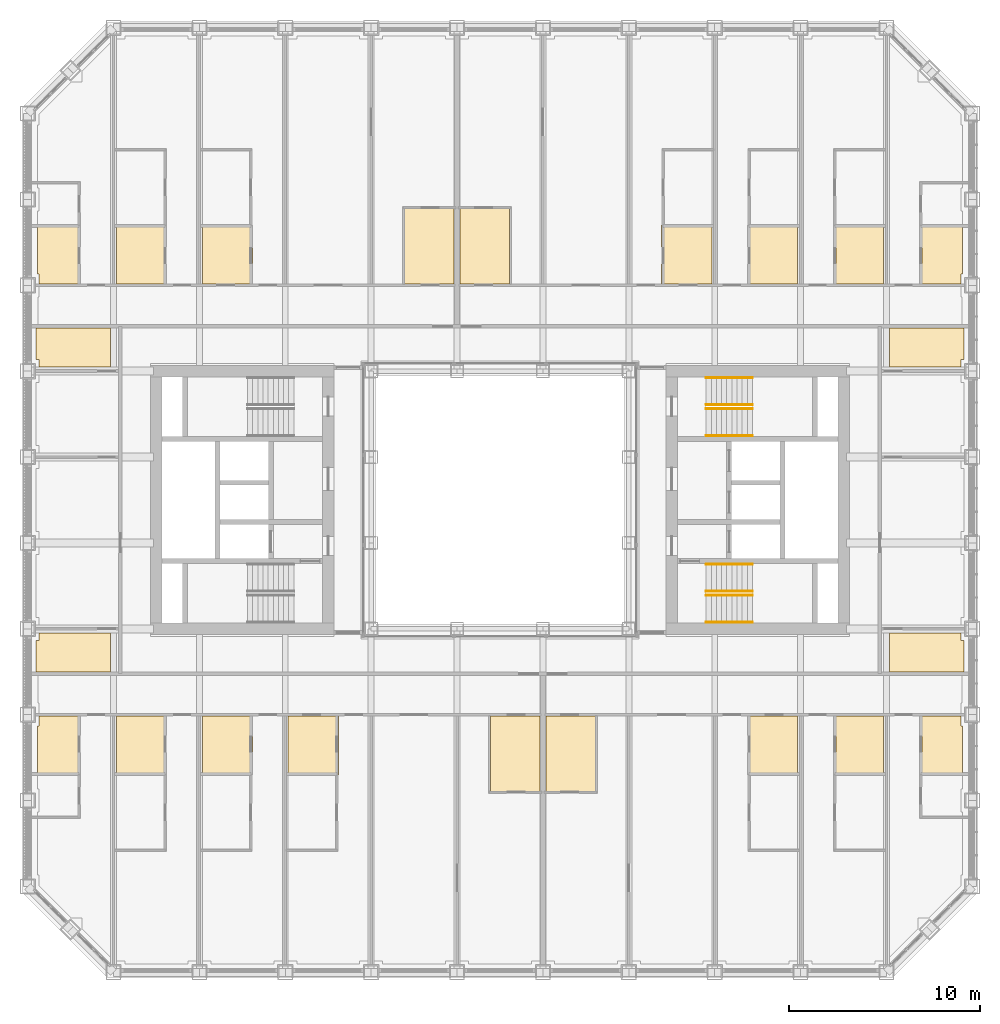
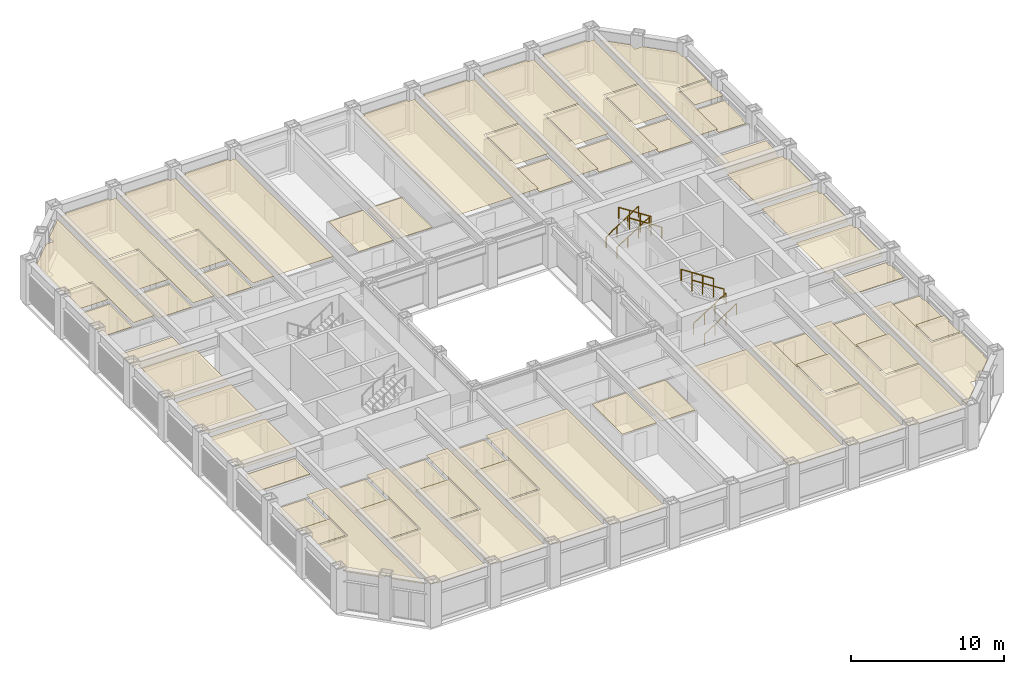
# One storey, part 20 of 21: 8 railings, 3 coverings.
"""IFC4 building model written with IfcOpenShell, lengths in metres."""

from ifc_helpers import new_model, si_unit, direction, frame, origin, origin_2d, place, context, subcontext, project, spatial, line, indexed_curve, circle, outline, extrude, material, layer, layer_set, type_object, element, save


model = new_model("IFC4")

# Units and contexts
model_context = context("Model", 3, precision=1e-05, world=origin(), true_north=direction((0.0, 1.0)))
body_context = subcontext(model_context, "Body", "Model", "MODEL_VIEW")
ifc_project = project(units=[si_unit("LENGTHUNIT", "METRE"), si_unit("AREAUNIT", "SQUARE_METRE"), si_unit("VOLUMEUNIT", "CUBIC_METRE"), si_unit("PLANEANGLEUNIT", "RADIAN"), si_unit("MASSUNIT", "GRAM", prefix="KILO")], contexts=[model_context])

# Site, building, storey
site_placement = place(None, origin())
site = spatial("IfcSite", under=ifc_project, at=site_placement, CompositionType="ELEMENT")
building_placement = place(site_placement, origin())
building = spatial("IfcBuilding", under=site, at=building_placement, Name="Msasa Ring Tower", CompositionType="ELEMENT")
storey_placement = place(building_placement, frame((0.0, 0.0, 79.0)))
storey = spatial("IfcBuildingStorey", under=building, at=storey_placement, Name="L20", CompositionType="ELEMENT", Elevation=79.0)

# Coverings
ifc_material_1 = material(Name="Gypsum plasterboard on a steel suspension grid", Category="steel")
ifc_layer_1 = layer(ifc_material_1, 0.014892578125)
ifc_layer_set_1 = layer_set([ifc_layer_1], Name="C1 SUSPENDED PLASTERBOARD CEILING 15")
covering_type_1 = type_object("IfcCoveringType", Name="C1 SUSPENDED PLASTERBOARD CEILING 15", PredefinedType="CEILING", material=ifc_layer_set_1)
covering_1_placement = place(storey_placement, frame((0.0, 0.0, 2.699951171875)))
element("IfcCovering", 1, at=covering_1_placement, inside=storey, type_object=covering_type_1, Name="Suspended Plasterboard Ceiling 15 L20", PredefinedType="CEILING", context=body_context, shape_type="SweptSolid", body=[
    extrude(outline(indexed_curve([(-24.299560546875, -2.8505859375), (-24.1494140625, -2.8505859375), (-24.1494140625, -2.460693359375), (-20.00048828125, -2.460693359375), (-20.00048828125, -6.539306640625), (-24.1494140625, -6.539306640625), (-24.1494140625, -6.1494140625), (-24.299560546875, -6.1494140625)], segments=[line(1, 2, 3, 4, 5, 6, 7, 8, 1)], self_intersect=False)), origin(), (0.0, 0.0, 1.0), 0.01513671875),
    extrude(outline(indexed_curve([(-24.299560546875, 1.6494140625), (-24.1494140625, 1.6494140625), (-24.1494140625, 2.039306640625), (-20.00048828125, 2.039306640625), (-20.00048828125, -2.039306640625), (-24.1494140625, -2.039306640625), (-24.1494140625, -1.6494140625), (-24.299560546875, -1.6494140625)], segments=[line(1, 2, 3, 4, 5, 6, 7, 8, 1)], self_intersect=False)), origin(), (0.0, 0.0, 1.0), 0.01513671875),
    extrude(outline(indexed_curve([(-24.299560546875, 6.1494140625), (-24.1494140625, 6.1494140625), (-24.1494140625, 6.539306640625), (-20.00048828125, 6.539306640625), (-20.00048828125, 2.460693359375), (-24.1494140625, 2.460693359375), (-24.1494140625, 2.8505859375), (-24.299560546875, 2.8505859375)], segments=[line(1, 2, 3, 4, 5, 6, 7, 8, 1)], self_intersect=False)), origin(), (0.0, 0.0, 1.0), 0.01513671875),
    extrude(outline(indexed_curve([(-22.1005859375, -16.568115234375), (-24.239501953125, -16.568115234375), (-24.239501953125, -16.3505859375), (-24.1494140625, -16.3505859375), (-24.1494140625, -15.1494140625), (-24.239501953125, -15.1494140625), (-24.239501953125, -14.430419921875), (-22.1005859375, -14.430419921875)], segments=[line(1, 2, 3, 4, 5, 6, 7, 8, 1)], self_intersect=False)), origin(), (0.0, 0.0, 1.0), 0.01513671875),
    extrude(outline(indexed_curve([(-22.1005859375, 16.568115234375), (-22.1005859375, 14.430419921875), (-24.239501953125, 14.430419921875), (-24.239501953125, 15.1494140625), (-24.1494140625, 15.1494140625), (-24.1494140625, 16.3505859375), (-24.239501953125, 16.3505859375), (-24.239501953125, 16.568115234375)], segments=[line(1, 2, 3, 4, 5, 6, 7, 8, 1)], self_intersect=False)), origin(), (0.0, 0.0, 1.0), 0.01513671875),
    extrude(outline(indexed_curve([(-21.8994140625, -22.46337890625), (-21.8994140625, -21.8994140625), (-22.46337890625, -21.8994140625), (-24.1494140625, -20.21337890625), (-24.1494140625, -19.6494140625), (-24.23193359375, -19.6494140625), (-24.23193359375, -16.674072265625), (-21.99951171875, -16.674072265625), (-21.99951171875, -11.31298828125), (-20.404296875, -11.31298828125), (-20.404296875, -23.95849609375)], segments=[line(1, 2, 3, 4, 5, 6, 7, 8, 9, 10, 11, 1)], self_intersect=False)), origin(), (0.0, 0.0, 1.0), 0.01513671875),
    extrude(outline(indexed_curve([(-22.46337890625, 21.8994140625), (-21.8994140625, 21.8994140625), (-21.8994140625, 22.46337890625), (-20.404296875, 23.95849609375), (-20.404296875, 11.31298828125), (-21.99951171875, 11.31298828125), (-21.99951171875, 16.674072265625), (-24.23193359375, 16.674072265625), (-24.23193359375, 19.6494140625), (-24.1494140625, 19.6494140625), (-24.1494140625, 20.21337890625)], segments=[line(1, 2, 3, 4, 5, 6, 7, 8, 9, 10, 11, 1)], self_intersect=False)), origin(), (0.0, 0.0, 1.0), 0.01513671875),
    extrude(outline(indexed_curve([(-15.904296875, -11.31298828125), (-15.904296875, -24.1494140625), (-16.3505859375, -24.1494140625), (-16.3505859375, -24.299560546875), (-19.6494140625, -24.299560546875), (-19.6494140625, -24.1494140625), (-20.095703125, -24.1494140625), (-20.095703125, -18.40087890625), (-17.49951171875, -18.40087890625), (-17.49951171875, -11.31298828125)], segments=[line(1, 2, 3, 4, 5, 6, 7, 8, 9, 10, 1)], self_intersect=False)), origin(), (0.0, 0.0, 1.0), 0.01513671875),
    extrude(outline(indexed_curve([(-17.6005859375, -18.294921875), (-20.095703125, -18.294921875), (-20.095703125, -14.430419921875), (-17.6005859375, -14.430419921875)], segments=[line(1, 2, 3, 4, 1)], self_intersect=False)), origin(), (0.0, 0.0, 1.0), 0.01513671875),
    extrude(outline(indexed_curve([(-17.49951171875, 11.31298828125), (-17.49951171875, 18.40087890625), (-20.095703125, 18.40087890625), (-20.095703125, 24.1494140625), (-19.6494140625, 24.1494140625), (-19.6494140625, 24.299560546875), (-16.3505859375, 24.299560546875), (-16.3505859375, 24.1494140625), (-15.904296875, 24.1494140625), (-15.904296875, 11.31298828125)], segments=[line(1, 2, 3, 4, 5, 6, 7, 8, 9, 10, 1)], self_intersect=False)), origin(), (0.0, 0.0, 1.0), 0.01513671875),
    extrude(outline(indexed_curve([(-17.6005859375, 18.294921875), (-17.6005859375, 14.430419921875), (-20.095703125, 14.430419921875), (-20.095703125, 18.294921875)], segments=[line(1, 2, 3, 4, 1)], self_intersect=False)), origin(), (0.0, 0.0, 1.0), 0.01513671875),
    extrude(outline(indexed_curve([(-15.1494140625, -24.299560546875), (-15.1494140625, -24.1494140625), (-15.595703125, -24.1494140625), (-15.595703125, -18.403564453125), (-12.99951171875, -18.403564453125), (-12.99951171875, -11.31298828125), (-11.404296875, -11.31298828125), (-11.404296875, -24.1494140625), (-11.8505859375, -24.1494140625), (-11.8505859375, -24.299560546875)], segments=[line(1, 2, 3, 4, 5, 6, 7, 8, 9, 10, 1)], self_intersect=False)), origin(), (0.0, 0.0, 1.0), 0.01513671875),
    extrude(outline(indexed_curve([(-13.1005859375, -14.430419921875), (-13.1005859375, -18.297607421875), (-15.595703125, -18.297607421875), (-15.595703125, -14.430419921875)], segments=[line(1, 2, 3, 4, 1)], self_intersect=False)), origin(), (0.0, 0.0, 1.0), 0.01513671875),
    extrude(outline(indexed_curve([(-12.99951171875, 11.31298828125), (-12.99951171875, 18.403564453125), (-15.595703125, 18.403564453125), (-15.595703125, 24.1494140625), (-15.1494140625, 24.1494140625), (-15.1494140625, 24.299560546875), (-11.8505859375, 24.299560546875), (-11.8505859375, 24.1494140625), (-11.404296875, 24.1494140625), (-11.404296875, 11.31298828125)], segments=[line(1, 2, 3, 4, 5, 6, 7, 8, 9, 10, 1)], self_intersect=False)), origin(), (0.0, 0.0, 1.0), 0.01513671875),
    extrude(outline(indexed_curve([(-13.1005859375, 18.297607421875), (-13.1005859375, 14.430419921875), (-15.595703125, 14.430419921875), (-15.595703125, 18.297607421875)], segments=[line(1, 2, 3, 4, 1)], self_intersect=False)), origin(), (0.0, 0.0, 1.0), 0.01513671875),
    extrude(outline(indexed_curve([(-10.6494140625, -24.299560546875), (-10.6494140625, -24.1494140625), (-11.095703125, -24.1494140625), (-11.095703125, -18.403564453125), (-8.49951171875, -18.403564453125), (-8.49951171875, -11.31298828125), (-6.904296875, -11.31298828125), (-6.904296875, -24.1494140625), (-7.3505859375, -24.1494140625), (-7.3505859375, -24.299560546875)], segments=[line(1, 2, 3, 4, 5, 6, 7, 8, 9, 10, 1)], self_intersect=False)), origin(), (0.0, 0.0, 1.0), 0.01513671875),
    extrude(outline(indexed_curve([(-8.6005859375, -14.430419921875), (-8.6005859375, -18.297607421875), (-11.095703125, -18.297607421875), (-11.095703125, -14.430419921875)], segments=[line(1, 2, 3, 4, 1)], self_intersect=False)), origin(), (0.0, 0.0, 1.0), 0.01513671875),
    extrude(outline(indexed_curve([(-7.3505859375, 24.299560546875), (-7.3505859375, 24.1494140625), (-6.904296875, 24.1494140625), (-6.904296875, 11.31298828125), (-11.095703125, 11.31298828125), (-11.095703125, 24.1494140625), (-10.6494140625, 24.1494140625), (-10.6494140625, 24.299560546875)], segments=[line(1, 2, 3, 4, 5, 6, 7, 8, 1)], self_intersect=False)), origin(), (0.0, 0.0, 1.0), 0.01513671875),
    extrude(outline(indexed_curve([(-6.1494140625, -24.299560546875), (-6.1494140625, -24.1494140625), (-6.595703125, -24.1494140625), (-6.595703125, -11.31298828125), (-2.404296875, -11.31298828125), (-2.404296875, -24.1494140625), (-2.8505859375, -24.1494140625), (-2.8505859375, -24.299560546875)], segments=[line(1, 2, 3, 4, 5, 6, 7, 8, 1)], self_intersect=False)), origin(), (0.0, 0.0, 1.0), 0.01513671875),
    extrude(outline(indexed_curve([(6.1494140625, 24.299560546875), (6.1494140625, 24.1494140625), (6.595703125, 24.1494140625), (6.595703125, 11.31298828125), (2.404296875, 11.31298828125), (2.404296875, 24.1494140625), (2.8505859375, 24.1494140625), (2.8505859375, 24.299560546875)], segments=[line(1, 2, 3, 4, 5, 6, 7, 8, 1)], self_intersect=False)), origin(), (0.0, 0.0, 1.0), 0.01513671875),
    extrude(outline(indexed_curve([(7.3505859375, -24.299560546875), (7.3505859375, -24.1494140625), (6.904296875, -24.1494140625), (6.904296875, -11.31298828125), (11.095703125, -11.31298828125), (11.095703125, -24.1494140625), (10.6494140625, -24.1494140625), (10.6494140625, -24.299560546875)], segments=[line(1, 2, 3, 4, 5, 6, 7, 8, 1)], self_intersect=False)), origin(), (0.0, 0.0, 1.0), 0.01513671875),
    extrude(outline(indexed_curve([(10.6494140625, 24.299560546875), (10.6494140625, 24.1494140625), (11.095703125, 24.1494140625), (11.095703125, 18.403564453125), (8.49951171875, 18.403564453125), (8.49951171875, 11.31298828125), (6.904296875, 11.31298828125), (6.904296875, 24.1494140625), (7.3505859375, 24.1494140625), (7.3505859375, 24.299560546875)], segments=[line(1, 2, 3, 4, 5, 6, 7, 8, 9, 10, 1)], self_intersect=False)), origin(), (0.0, 0.0, 1.0), 0.01513671875),
    extrude(outline(indexed_curve([(11.095703125, 18.297607421875), (11.095703125, 14.430419921875), (8.6005859375, 14.430419921875), (8.6005859375, 18.297607421875)], segments=[line(1, 2, 3, 4, 1)], self_intersect=False)), origin(), (0.0, 0.0, 1.0), 0.01513671875),
    extrude(outline(indexed_curve([(12.99951171875, -11.31298828125), (12.99951171875, -18.403564453125), (15.595703125, -18.403564453125), (15.595703125, -24.1494140625), (15.1494140625, -24.1494140625), (15.1494140625, -24.299560546875), (11.8505859375, -24.299560546875), (11.8505859375, -24.1494140625), (11.404296875, -24.1494140625), (11.404296875, -11.31298828125)], segments=[line(1, 2, 3, 4, 5, 6, 7, 8, 9, 10, 1)], self_intersect=False)), origin(), (0.0, 0.0, 1.0), 0.01513671875),
    extrude(outline(indexed_curve([(15.1494140625, 24.299560546875), (15.1494140625, 24.1494140625), (15.595703125, 24.1494140625), (15.595703125, 18.403564453125), (12.99951171875, 18.403564453125), (12.99951171875, 11.31298828125), (11.404296875, 11.31298828125), (11.404296875, 24.1494140625), (11.8505859375, 24.1494140625), (11.8505859375, 24.299560546875)], segments=[line(1, 2, 3, 4, 5, 6, 7, 8, 9, 10, 1)], self_intersect=False)), origin(), (0.0, 0.0, 1.0), 0.01513671875),
    extrude(outline(indexed_curve([(15.595703125, -14.430419921875), (15.595703125, -18.297607421875), (13.1005859375, -18.297607421875), (13.1005859375, -14.430419921875)], segments=[line(1, 2, 3, 4, 1)], self_intersect=False)), origin(), (0.0, 0.0, 1.0), 0.01513671875),
    extrude(outline(indexed_curve([(15.595703125, 18.297607421875), (15.595703125, 14.430419921875), (13.1005859375, 14.430419921875), (13.1005859375, 18.297607421875)], segments=[line(1, 2, 3, 4, 1)], self_intersect=False)), origin(), (0.0, 0.0, 1.0), 0.01513671875),
    extrude(outline(indexed_curve([(16.3505859375, -24.299560546875), (16.3505859375, -24.1494140625), (15.904296875, -24.1494140625), (15.904296875, -11.31298828125), (17.49951171875, -11.31298828125), (17.49951171875, -18.40087890625), (20.095703125, -18.40087890625), (20.095703125, -24.1494140625), (19.6494140625, -24.1494140625), (19.6494140625, -24.299560546875)], segments=[line(1, 2, 3, 4, 5, 6, 7, 8, 9, 10, 1)], self_intersect=False)), origin(), (0.0, 0.0, 1.0), 0.01513671875),
    extrude(outline(indexed_curve([(19.6494140625, 24.299560546875), (19.6494140625, 24.1494140625), (20.095703125, 24.1494140625), (20.095703125, 18.40087890625), (17.49951171875, 18.40087890625), (17.49951171875, 11.31298828125), (15.904296875, 11.31298828125), (15.904296875, 24.1494140625), (16.3505859375, 24.1494140625), (16.3505859375, 24.299560546875)], segments=[line(1, 2, 3, 4, 5, 6, 7, 8, 9, 10, 1)], self_intersect=False)), origin(), (0.0, 0.0, 1.0), 0.01513671875),
    extrude(outline(indexed_curve([(20.095703125, -14.430419921875), (20.095703125, -18.294921875), (17.6005859375, -18.294921875), (17.6005859375, -14.430419921875)], segments=[line(1, 2, 3, 4, 1)], self_intersect=False)), origin(), (0.0, 0.0, 1.0), 0.01513671875),
    extrude(outline(indexed_curve([(20.095703125, 18.294921875), (20.095703125, 14.430419921875), (17.6005859375, 14.430419921875), (17.6005859375, 18.294921875)], segments=[line(1, 2, 3, 4, 1)], self_intersect=False)), origin(), (0.0, 0.0, 1.0), 0.01513671875),
    extrude(outline(indexed_curve([(24.299560546875, -6.1494140625), (24.1494140625, -6.1494140625), (24.1494140625, -6.539306640625), (20.00048828125, -6.539306640625), (20.00048828125, -2.460693359375), (24.1494140625, -2.460693359375), (24.1494140625, -2.8505859375), (24.299560546875, -2.8505859375)], segments=[line(1, 2, 3, 4, 5, 6, 7, 8, 1)], self_intersect=False)), origin(), (0.0, 0.0, 1.0), 0.01513671875),
    extrude(outline(indexed_curve([(24.299560546875, -1.6494140625), (24.1494140625, -1.6494140625), (24.1494140625, -2.039306640625), (20.00048828125, -2.039306640625), (20.00048828125, 2.039306640625), (24.1494140625, 2.039306640625), (24.1494140625, 1.6494140625), (24.299560546875, 1.6494140625)], segments=[line(1, 2, 3, 4, 5, 6, 7, 8, 1)], self_intersect=False)), origin(), (0.0, 0.0, 1.0), 0.01513671875),
    extrude(outline(indexed_curve([(24.299560546875, 2.8505859375), (24.1494140625, 2.8505859375), (24.1494140625, 2.460693359375), (20.00048828125, 2.460693359375), (20.00048828125, 6.539306640625), (24.1494140625, 6.539306640625), (24.1494140625, 6.1494140625), (24.299560546875, 6.1494140625)], segments=[line(1, 2, 3, 4, 5, 6, 7, 8, 1)], self_intersect=False)), origin(), (0.0, 0.0, 1.0), 0.01513671875),
    extrude(outline(indexed_curve([(22.46337890625, -21.8994140625), (21.8994140625, -21.8994140625), (21.8994140625, -22.46337890625), (20.404296875, -23.95849609375), (20.404296875, -11.31298828125), (21.99951171875, -11.31298828125), (21.99951171875, -16.674072265625), (24.23193359375, -16.674072265625), (24.23193359375, -19.6494140625), (24.1494140625, -19.6494140625), (24.1494140625, -20.21337890625)], segments=[line(1, 2, 3, 4, 5, 6, 7, 8, 9, 10, 11, 1)], self_intersect=False)), origin(), (0.0, 0.0, 1.0), 0.01513671875),
    extrude(outline(indexed_curve([(21.8994140625, 22.46337890625), (21.8994140625, 21.8994140625), (22.46337890625, 21.8994140625), (24.1494140625, 20.21337890625), (24.1494140625, 19.6494140625), (24.23193359375, 19.6494140625), (24.23193359375, 16.674072265625), (21.99951171875, 16.674072265625), (21.99951171875, 11.31298828125), (20.404296875, 11.31298828125), (20.404296875, 23.95849609375)], segments=[line(1, 2, 3, 4, 5, 6, 7, 8, 9, 10, 11, 1)], self_intersect=False)), origin(), (0.0, 0.0, 1.0), 0.01513671875),
    extrude(outline(indexed_curve([(24.239501953125, -14.430419921875), (24.239501953125, -15.1494140625), (24.1494140625, -15.1494140625), (24.1494140625, -16.3505859375), (24.239501953125, -16.3505859375), (24.239501953125, -16.568115234375), (22.1005859375, -16.568115234375), (22.1005859375, -14.430419921875)], segments=[line(1, 2, 3, 4, 5, 6, 7, 8, 1)], self_intersect=False)), origin(), (0.0, 0.0, 1.0), 0.01513671875),
    extrude(outline(indexed_curve([(24.239501953125, 16.568115234375), (24.239501953125, 16.3505859375), (24.1494140625, 16.3505859375), (24.1494140625, 15.1494140625), (24.239501953125, 15.1494140625), (24.239501953125, 14.430419921875), (22.1005859375, 14.430419921875), (22.1005859375, 16.568115234375)], segments=[line(1, 2, 3, 4, 5, 6, 7, 8, 1)], self_intersect=False)), origin(), (0.0, 0.0, 1.0), 0.01513671875),
])
ifc_material_2 = material(Name="Moisture-resistant gypsum plasterboard on a steel suspension grid", Category="steel")
ifc_layer_2 = layer(ifc_material_2, 0.014892578125)
ifc_layer_set_2 = layer_set([ifc_layer_2], Name="C2 MOISTURE-RESISTANT PLASTERBOARD CEILING 15")
covering_type_2 = type_object("IfcCoveringType", Name="C2 MOISTURE-RESISTANT PLASTERBOARD CEILING 15", PredefinedType="CEILING", material=ifc_layer_set_2)
covering_2_placement = place(storey_placement, frame((0.0, 0.0, 2.39990234375)))
element("IfcCovering", 2, at=covering_2_placement, inside=storey, type_object=covering_type_2, Name="Moisture-Resistant Plasterboard Ceiling 15 L20", PredefinedType="CEILING", context=body_context, shape_type="SweptSolid", body=[
    extrude(outline(indexed_curve([(-24.299560546875, 8.99951171875), (-20.404296875, 8.99951171875), (-20.404296875, 6.960693359375), (-24.1494140625, 6.960693359375), (-24.1494140625, 7.3505859375), (-24.299560546875, 7.3505859375)], segments=[line(1, 2, 3, 4, 5, 6, 1)], self_intersect=False)), origin(), (0.0, 0.0, 1.0), 0.01513671875),
    extrude(outline(indexed_curve([(-24.239501953125, -11.8505859375), (-24.1494140625, -11.8505859375), (-24.1494140625, -11.31298828125), (-22.1005859375, -11.31298828125), (-22.1005859375, -14.299560546875), (-24.239501953125, -14.299560546875)], segments=[line(1, 2, 3, 4, 5, 6, 1)], self_intersect=False)), origin(), (0.0, 0.0, 1.0), 0.01513671875),
    extrude(outline(indexed_curve([(-24.239501953125, 14.299560546875), (-22.1005859375, 14.299560546875), (-22.1005859375, 11.31298828125), (-24.1494140625, 11.31298828125), (-24.1494140625, 11.8505859375), (-24.239501953125, 11.8505859375)], segments=[line(1, 2, 3, 4, 5, 6, 1)], self_intersect=False)), origin(), (0.0, 0.0, 1.0), 0.01513671875),
    extrude(outline(indexed_curve([(-17.6005859375, -11.31298828125), (-17.6005859375, -14.299560546875), (-20.095703125, -14.299560546875), (-20.095703125, -11.31298828125)], segments=[line(1, 2, 3, 4, 1)], self_intersect=False)), origin(), (0.0, 0.0, 1.0), 0.01513671875),
    extrude(outline(indexed_curve([(-17.6005859375, 14.299560546875), (-17.6005859375, 11.31298828125), (-20.095703125, 11.31298828125), (-20.095703125, 14.299560546875)], segments=[line(1, 2, 3, 4, 1)], self_intersect=False)), origin(), (0.0, 0.0, 1.0), 0.01513671875),
    extrude(outline(indexed_curve([(-13.1005859375, -11.31298828125), (-13.1005859375, -14.299560546875), (-15.595703125, -14.299560546875), (-15.595703125, -11.31298828125)], segments=[line(1, 2, 3, 4, 1)], self_intersect=False)), origin(), (0.0, 0.0, 1.0), 0.01513671875),
    extrude(outline(indexed_curve([(-13.1005859375, 14.299560546875), (-13.1005859375, 11.31298828125), (-15.595703125, 11.31298828125), (-15.595703125, 14.299560546875)], segments=[line(1, 2, 3, 4, 1)], self_intersect=False)), origin(), (0.0, 0.0, 1.0), 0.01513671875),
    extrude(outline(indexed_curve([(-8.6005859375, -11.31298828125), (-8.6005859375, -14.299560546875), (-11.095703125, -14.299560546875), (-11.095703125, -11.31298828125)], segments=[line(1, 2, 3, 4, 1)], self_intersect=False)), origin(), (0.0, 0.0, 1.0), 0.01513671875),
    extrude(outline(indexed_curve([(8.6005859375, 14.299560546875), (11.095703125, 14.299560546875), (11.095703125, 11.31298828125), (8.6005859375, 11.31298828125)], segments=[line(1, 2, 3, 4, 1)], self_intersect=False)), origin(), (0.0, 0.0, 1.0), 0.01513671875),
    extrude(outline(indexed_curve([(13.1005859375, -11.31298828125), (15.595703125, -11.31298828125), (15.595703125, -14.299560546875), (13.1005859375, -14.299560546875)], segments=[line(1, 2, 3, 4, 1)], self_intersect=False)), origin(), (0.0, 0.0, 1.0), 0.01513671875),
    extrude(outline(indexed_curve([(13.1005859375, 14.299560546875), (15.595703125, 14.299560546875), (15.595703125, 11.31298828125), (13.1005859375, 11.31298828125)], segments=[line(1, 2, 3, 4, 1)], self_intersect=False)), origin(), (0.0, 0.0, 1.0), 0.01513671875),
    extrude(outline(indexed_curve([(17.6005859375, -11.31298828125), (20.095703125, -11.31298828125), (20.095703125, -14.299560546875), (17.6005859375, -14.299560546875)], segments=[line(1, 2, 3, 4, 1)], self_intersect=False)), origin(), (0.0, 0.0, 1.0), 0.01513671875),
    extrude(outline(indexed_curve([(17.6005859375, 14.299560546875), (20.095703125, 14.299560546875), (20.095703125, 11.31298828125), (17.6005859375, 11.31298828125)], segments=[line(1, 2, 3, 4, 1)], self_intersect=False)), origin(), (0.0, 0.0, 1.0), 0.01513671875),
    extrude(outline(indexed_curve([(24.299560546875, 8.99951171875), (24.299560546875, 7.3505859375), (24.1494140625, 7.3505859375), (24.1494140625, 6.960693359375), (20.404296875, 6.960693359375), (20.404296875, 8.99951171875)], segments=[line(1, 2, 3, 4, 5, 6, 1)], self_intersect=False)), origin(), (0.0, 0.0, 1.0), 0.01513671875),
    extrude(outline(indexed_curve([(22.1005859375, -11.31298828125), (24.1494140625, -11.31298828125), (24.1494140625, -11.8505859375), (24.239501953125, -11.8505859375), (24.239501953125, -14.299560546875), (22.1005859375, -14.299560546875)], segments=[line(1, 2, 3, 4, 5, 6, 1)], self_intersect=False)), origin(), (0.0, 0.0, 1.0), 0.01513671875),
    extrude(outline(indexed_curve([(22.1005859375, 14.299560546875), (24.239501953125, 14.299560546875), (24.239501953125, 11.8505859375), (24.1494140625, 11.8505859375), (24.1494140625, 11.31298828125), (22.1005859375, 11.31298828125)], segments=[line(1, 2, 3, 4, 5, 6, 1)], self_intersect=False)), origin(), (0.0, 0.0, 1.0), 0.01513671875),
])
ifc_material_3 = material(Name="Perforated aluminium ceiling pans on a steel grid", Category="steel")
ifc_layer_3 = layer(ifc_material_3, 0.02490234375)
ifc_layer_set_3 = layer_set([ifc_layer_3], Name="C4 PERFORATED METAL PAN CEILING 25")
covering_type_3 = type_object("IfcCoveringType", Name="C4 PERFORATED METAL PAN CEILING 25", PredefinedType="CEILING", material=ifc_layer_set_3)
covering_3_placement = place(storey_placement, frame((0.0, 0.0, 2.39990234375)))
element("IfcCovering", 3, at=covering_3_placement, inside=storey, type_object=covering_type_3, Name="Perforated Metal Pan Ceiling 25 L20", PredefinedType="CEILING", context=body_context, shape_type="SweptSolid", body=[
    extrude(outline(indexed_curve([(-24.299560546875, -8.99951171875), (-24.299560546875, -7.3505859375), (-24.1494140625, -7.3505859375), (-24.1494140625, -6.960693359375), (-20.404296875, -6.960693359375), (-20.404296875, -8.99951171875)], segments=[line(1, 2, 3, 4, 5, 6, 1)], self_intersect=False)), origin(), (0.0, 0.0, 1.0), 0.025146484375),
    extrude(outline(indexed_curve([(-4.99951171875, 11.31298828125), (-4.99951171875, 15.261962890625), (-2.404296875, 15.261962890625), (-2.404296875, 11.31298828125)], segments=[line(1, 2, 3, 4, 1)], self_intersect=False)), origin(), (0.0, 0.0, 1.0), 0.025146484375),
    extrude(outline(indexed_curve([(-2.095703125, 11.31298828125), (-2.095703125, 15.261962890625), (0.49951171875, 15.261962890625), (0.49951171875, 11.31298828125)], segments=[line(1, 2, 3, 4, 1)], self_intersect=False)), origin(), (0.0, 0.0, 1.0), 0.025146484375),
    extrude(outline(indexed_curve([(-0.49951171875, -15.261962890625), (-0.49951171875, -11.31298828125), (2.095703125, -11.31298828125), (2.095703125, -15.261962890625)], segments=[line(1, 2, 3, 4, 1)], self_intersect=False)), origin(), (0.0, 0.0, 1.0), 0.025146484375),
    extrude(outline(indexed_curve([(2.404296875, -15.261962890625), (2.404296875, -11.31298828125), (4.99951171875, -11.31298828125), (4.99951171875, -15.261962890625)], segments=[line(1, 2, 3, 4, 1)], self_intersect=False)), origin(), (0.0, 0.0, 1.0), 0.025146484375),
    extrude(outline(indexed_curve([(24.299560546875, -8.99951171875), (20.404296875, -8.99951171875), (20.404296875, -6.960693359375), (24.1494140625, -6.960693359375), (24.1494140625, -7.3505859375), (24.299560546875, -7.3505859375)], segments=[line(1, 2, 3, 4, 5, 6, 1)], self_intersect=False)), origin(), (0.0, 0.0, 1.0), 0.025146484375),
])

# Railings
ifc_material_4 = material(Name="Stainless steel", Category="steel")
railing_type = type_object("IfcRailingType", Name="HR1 HANDRAIL 900", PredefinedType="HANDRAIL", material=ifc_material_4)
for number, where, name in (
    (4, (10.800048828125, -6.39990234375, 0.175048828125), "Handrail stair SEA L20 1"),
    (5, (10.800048828125, -5.0, 0.175048828125), "Handrail stair SEA L20 2"),
):
    element("IfcRailing", number, at=place(storey_placement, frame(where)), inside=storey, type_object=railing_type, Name=name, PredefinedType="HANDRAIL", context=body_context, shape_type="SweptSolid", body=[
        extrude(circle(Radius=0.02392578125, at=origin_2d()), frame((0.0, 0.0, 0.8759765625), z_axis=(0.839153699163, 0.0, 0.543894354798), x_axis=(0.0, 1.0, 0.0)), (0.0, 0.0, 1.0), 2.895751953125),
        extrude(circle(Radius=0.02099609375, at=origin_2d()), origin(), (0.0, 0.0, 1.0), 0.851806640625),
        extrude(circle(Radius=0.02099609375, at=origin_2d()), frame((0.81005859375, 0.0, 0.52490234375)), (0.0, 0.0, 1.0), 0.851806640625),
        extrude(circle(Radius=0.02099609375, at=origin_2d()), frame((1.619873046875, 0.0, 1.050048828125)), (0.0, 0.0, 1.0), 0.851806640625),
        extrude(circle(Radius=0.02099609375, at=origin_2d()), frame((2.429931640625, 0.0, 1.574951171875)), (0.0, 0.0, 1.0), 0.851806640625),
    ])
for number, where, name in (
    (6, (13.22998046875, -4.77490234375, 1.925048828125), "Handrail stair SEA L20 3"),
    (7, (13.22998046875, -3.375, 1.925048828125), "Handrail stair SEA L20 4"),
):
    element("IfcRailing", number, at=place(storey_placement, frame(where)), inside=storey, type_object=railing_type, Name=name, PredefinedType="HANDRAIL", context=body_context, shape_type="SweptSolid", body=[
        extrude(circle(Radius=0.02392578125, at=origin_2d()), frame((0.0, 0.0, 0.8759765625), z_axis=(-0.839153699163, 0.0, 0.543894354798), x_axis=(0.0, -1.0, 0.0)), (0.0, 0.0, 1.0), 2.895751953125),
        extrude(circle(Radius=0.02099609375, at=origin_2d()), origin(), (0.0, 0.0, 1.0), 0.851806640625),
        extrude(circle(Radius=0.02099609375, at=origin_2d()), frame((-0.81005859375, 0.0, 0.52490234375)), (0.0, 0.0, 1.0), 0.851806640625),
        extrude(circle(Radius=0.02099609375, at=origin_2d()), frame((-1.619873046875, 0.0, 1.050048828125)), (0.0, 0.0, 1.0), 0.851806640625),
        extrude(circle(Radius=0.02099609375, at=origin_2d()), frame((-2.429931640625, 0.0, 1.574951171875)), (0.0, 0.0, 1.0), 0.851806640625),
    ])
for number, where, name in (
    (8, (10.800048828125, 5.0, 0.175048828125), "Handrail stair SEB L20 1"),
    (9, (10.800048828125, 6.39990234375, 0.175048828125), "Handrail stair SEB L20 2"),
):
    element("IfcRailing", number, at=place(storey_placement, frame(where)), inside=storey, type_object=railing_type, Name=name, PredefinedType="HANDRAIL", context=body_context, shape_type="SweptSolid", body=[
        extrude(circle(Radius=0.02392578125, at=origin_2d()), frame((0.0, 0.0, 0.8759765625), z_axis=(0.839153699163, 0.0, 0.543894354798), x_axis=(0.0, 1.0, 0.0)), (0.0, 0.0, 1.0), 2.895751953125),
        extrude(circle(Radius=0.02099609375, at=origin_2d()), origin(), (0.0, 0.0, 1.0), 0.851806640625),
        extrude(circle(Radius=0.02099609375, at=origin_2d()), frame((0.81005859375, 0.0, 0.52490234375)), (0.0, 0.0, 1.0), 0.851806640625),
        extrude(circle(Radius=0.02099609375, at=origin_2d()), frame((1.619873046875, 0.0, 1.050048828125)), (0.0, 0.0, 1.0), 0.851806640625),
        extrude(circle(Radius=0.02099609375, at=origin_2d()), frame((2.429931640625, 0.0, 1.574951171875)), (0.0, 0.0, 1.0), 0.851806640625),
    ])
for number, where, name in (
    (10, (13.22998046875, 3.375, 1.925048828125), "Handrail stair SEB L20 3"),
    (11, (13.22998046875, 4.77490234375, 1.925048828125), "Handrail stair SEB L20 4"),
):
    element("IfcRailing", number, at=place(storey_placement, frame(where)), inside=storey, type_object=railing_type, Name=name, PredefinedType="HANDRAIL", context=body_context, shape_type="SweptSolid", body=[
        extrude(circle(Radius=0.02392578125, at=origin_2d()), frame((0.0, 0.0, 0.8759765625), z_axis=(-0.839153699163, 0.0, 0.543894354798), x_axis=(0.0, -1.0, 0.0)), (0.0, 0.0, 1.0), 2.895751953125),
        extrude(circle(Radius=0.02099609375, at=origin_2d()), origin(), (0.0, 0.0, 1.0), 0.851806640625),
        extrude(circle(Radius=0.02099609375, at=origin_2d()), frame((-0.81005859375, 0.0, 0.52490234375)), (0.0, 0.0, 1.0), 0.851806640625),
        extrude(circle(Radius=0.02099609375, at=origin_2d()), frame((-1.619873046875, 0.0, 1.050048828125)), (0.0, 0.0, 1.0), 0.851806640625),
        extrude(circle(Radius=0.02099609375, at=origin_2d()), frame((-2.429931640625, 0.0, 1.574951171875)), (0.0, 0.0, 1.0), 0.851806640625),
    ])

save(model, "model.ifc")
